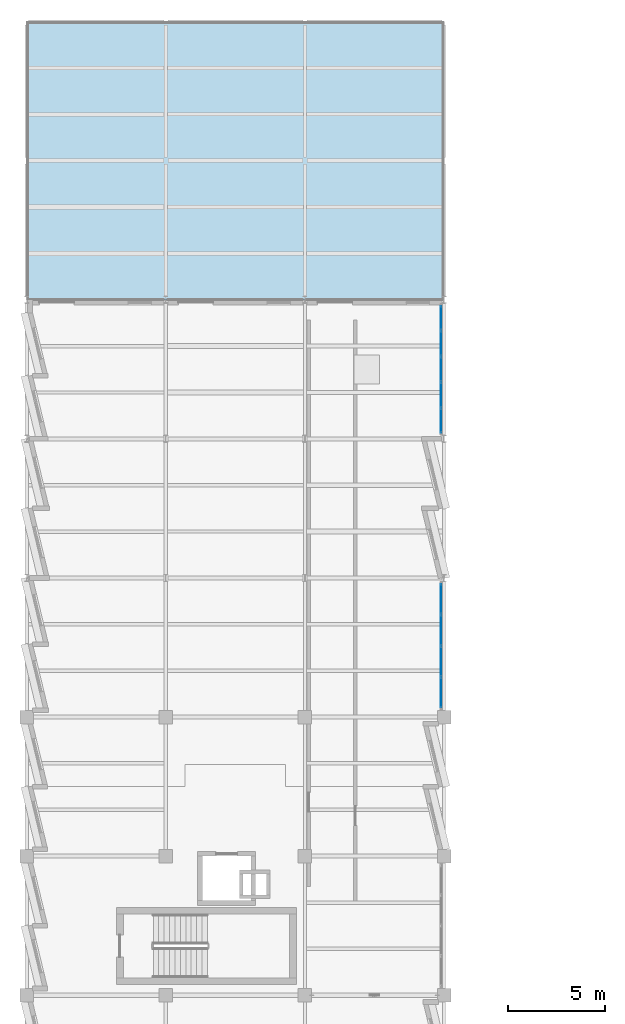
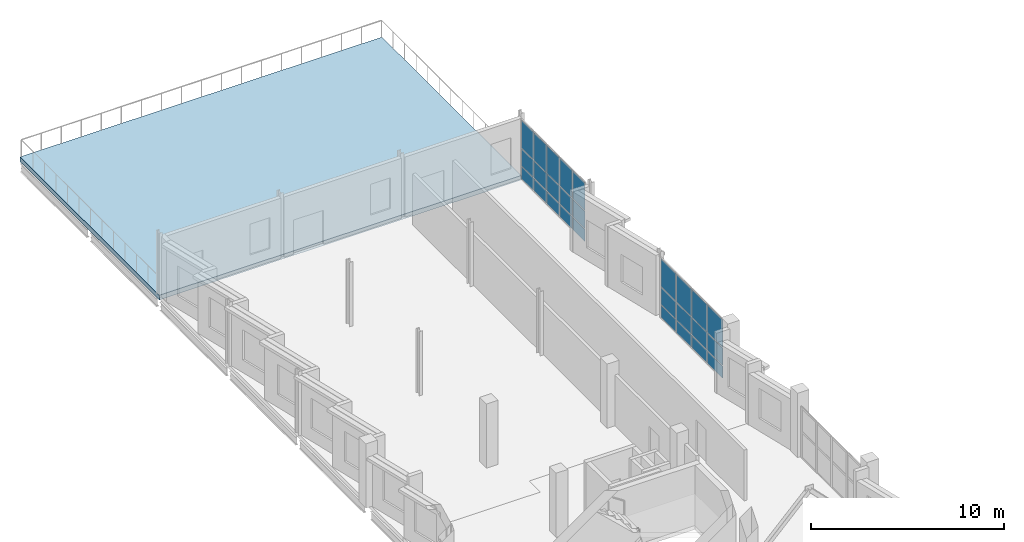
# One storey, part 20 of 33: 27 plates, 1 slab, 2 elements without a shape of their own.
"""IFC4 building model written with IfcOpenShell, lengths in metres."""

from ifc_helpers import new_model, si_unit, direction, frame, origin, origin_2d, place, context, subcontext, project, spatial, polyline, rectangle, outline, extrude, material, layer, layer_set, type_object, element, aggregate, save


model = new_model("IFC4")

# Units and contexts
model_context = context("Model", 3, precision=1e-05, world=origin(), true_north=direction((0.0, 1.0)))
body_context = subcontext(model_context, "Body", "Model", "MODEL_VIEW")
ifc_project = project(units=[si_unit("LENGTHUNIT", "METRE"), si_unit("AREAUNIT", "SQUARE_METRE"), si_unit("VOLUMEUNIT", "CUBIC_METRE"), si_unit("PLANEANGLEUNIT", "RADIAN"), si_unit("MASSUNIT", "GRAM", prefix="KILO")], contexts=[model_context])

# Site, building, storey
site_placement = place(None, origin())
site = spatial("IfcSite", under=ifc_project, at=site_placement, CompositionType="ELEMENT")
building_placement = place(site_placement, origin())
building = spatial("IfcBuilding", under=site, at=building_placement, Name="Kalmorath City Hall", CompositionType="ELEMENT")
storey_placement = place(building_placement, frame((0.0, 0.0, 22.949951171875)))
storey = spatial("IfcBuildingStorey", under=building, at=storey_placement, Name="L05", CompositionType="ELEMENT", Elevation=22.949951171875)

# Curtain wall, plates
ifc_material_1 = material(Name="Anodised aluminium and laminated glass", Category="aluminium")
curtain_wall_type_1 = type_object("IfcCurtainWallType", Name="Unitised hurricane curtain wall 6670x3800 M1450", PredefinedType="NOTDEFINED", material=ifc_material_1)
curtain_wall_1_placement = place(storey_placement, origin())
curtain_wall_1 = element("IfcCurtainWall", 1, at=curtain_wall_1_placement, inside=storey, type_object=curtain_wall_type_1, Name="L05 curtain wall CW-67X38M14 #170", PredefinedType="NOTDEFINED")
ifc_material_2 = material(Name="Hurricane laminated low-E glass", Category="glass")
ifc_layer_1 = layer(ifc_material_2, 0.02392578125)
ifc_layer_set_1 = layer_set([ifc_layer_1], Name="Hurricane laminated low-E glass")
plate_type = type_object("IfcPlateType", Name="Clerestory diffused glazed panel 24", PredefinedType="CURTAIN_PANEL", material=ifc_layer_set_1)
plate_1_placement = place(storey_placement, frame((21.43994140625, 85.45166015625, 0.06005859375), z_axis=(0.0, 0.0, 1.0), x_axis=(0.0, -1.0, 0.0)))
plate_1 = element("IfcPlate", 2, at=plate_1_placement, type_object=plate_type, Name="CW-67X38M14 panel 1.1", PredefinedType="CURTAIN_PANEL", context=body_context, shape_type="SweptSolid", body=[
    extrude(rectangle(XDim=1.236572265625, YDim=0.02392578125, at=origin_2d()), origin(), (0.0, 0.0, 1.0), 0.760009765625),
])
plate_2_placement = place(storey_placement, frame((21.43994140625, 85.45166015625, 0.880126953125), z_axis=(0.0, 0.0, 1.0), x_axis=(0.0, -1.0, 0.0)))
plate_2 = element("IfcPlate", 3, at=plate_2_placement, type_object=plate_type, Name="CW-67X38M14 panel 1.2", PredefinedType="CURTAIN_PANEL", context=body_context, shape_type="SweptSolid", body=[
    extrude(rectangle(XDim=1.236572265625, YDim=0.02392578125, at=origin_2d()), origin(), (0.0, 0.0, 1.0), 1.06591796875),
])
plate_3_placement = place(storey_placement, frame((21.43994140625, 85.45166015625, 2.006103515625), z_axis=(0.0, 0.0, 1.0), x_axis=(0.0, -1.0, 0.0)))
plate_3 = element("IfcPlate", 4, at=plate_3_placement, type_object=plate_type, Name="CW-67X38M14 panel 1.3", PredefinedType="CURTAIN_PANEL", context=body_context, shape_type="SweptSolid", body=[
    extrude(rectangle(XDim=1.236572265625, YDim=0.02392578125, at=origin_2d()), origin(), (0.0, 0.0, 1.0), 1.73388671875),
])
plate_4_placement = place(storey_placement, frame((21.43994140625, 84.134033203125, 0.06005859375), z_axis=(0.0, 0.0, 1.0), x_axis=(0.0, -1.0, 0.0)))
plate_4 = element("IfcPlate", 5, at=plate_4_placement, type_object=plate_type, Name="CW-67X38M14 panel 2.1", PredefinedType="CURTAIN_PANEL", context=body_context, shape_type="SweptSolid", body=[
    extrude(rectangle(XDim=1.26904296875, YDim=0.02392578125, at=origin_2d()), origin(), (0.0, 0.0, 1.0), 0.760009765625),
])
plate_5_placement = place(storey_placement, frame((21.43994140625, 84.134033203125, 0.880126953125), z_axis=(0.0, 0.0, 1.0), x_axis=(0.0, -1.0, 0.0)))
plate_5 = element("IfcPlate", 6, at=plate_5_placement, type_object=plate_type, Name="CW-67X38M14 panel 2.2", PredefinedType="CURTAIN_PANEL", context=body_context, shape_type="SweptSolid", body=[
    extrude(rectangle(XDim=1.26904296875, YDim=0.02392578125, at=origin_2d()), origin(), (0.0, 0.0, 1.0), 1.06591796875),
])
plate_6_placement = place(storey_placement, frame((21.43994140625, 84.134033203125, 2.006103515625), z_axis=(0.0, 0.0, 1.0), x_axis=(0.0, -1.0, 0.0)))
plate_6 = element("IfcPlate", 7, at=plate_6_placement, type_object=plate_type, Name="CW-67X38M14 panel 2.3", PredefinedType="CURTAIN_PANEL", context=body_context, shape_type="SweptSolid", body=[
    extrude(rectangle(XDim=1.26904296875, YDim=0.02392578125, at=origin_2d()), origin(), (0.0, 0.0, 1.0), 1.73388671875),
])
plate_7_placement = place(storey_placement, frame((21.43994140625, 82.800048828125, 0.06005859375), z_axis=(0.0, 0.0, 1.0), x_axis=(0.0, -1.0, 0.0)))
plate_7 = element("IfcPlate", 8, at=plate_7_placement, type_object=plate_type, Name="CW-67X38M14 panel 3.1", PredefinedType="CURTAIN_PANEL", context=body_context, shape_type="SweptSolid", body=[
    extrude(rectangle(XDim=1.26904296875, YDim=0.02392578125, at=origin_2d()), origin(), (0.0, 0.0, 1.0), 0.760009765625),
])
plate_8_placement = place(storey_placement, frame((21.43994140625, 82.800048828125, 0.880126953125), z_axis=(0.0, 0.0, 1.0), x_axis=(0.0, -1.0, 0.0)))
plate_8 = element("IfcPlate", 9, at=plate_8_placement, type_object=plate_type, Name="CW-67X38M14 panel 3.2", PredefinedType="CURTAIN_PANEL", context=body_context, shape_type="SweptSolid", body=[
    extrude(rectangle(XDim=1.26904296875, YDim=0.02392578125, at=origin_2d()), origin(), (0.0, 0.0, 1.0), 1.06591796875),
])
plate_9_placement = place(storey_placement, frame((21.43994140625, 82.800048828125, 2.006103515625), z_axis=(0.0, 0.0, 1.0), x_axis=(0.0, -1.0, 0.0)))
plate_9 = element("IfcPlate", 10, at=plate_9_placement, type_object=plate_type, Name="CW-67X38M14 panel 3.3", PredefinedType="CURTAIN_PANEL", context=body_context, shape_type="SweptSolid", body=[
    extrude(rectangle(XDim=1.26904296875, YDim=0.02392578125, at=origin_2d()), origin(), (0.0, 0.0, 1.0), 1.73388671875),
])
plate_10_placement = place(storey_placement, frame((21.43994140625, 81.466064453125, 0.06005859375), z_axis=(0.0, 0.0, 1.0), x_axis=(0.0, -1.0, 0.0)))
plate_10 = element("IfcPlate", 11, at=plate_10_placement, type_object=plate_type, Name="CW-67X38M14 panel 4.1", PredefinedType="CURTAIN_PANEL", context=body_context, shape_type="SweptSolid", body=[
    extrude(rectangle(XDim=1.26904296875, YDim=0.02392578125, at=origin_2d()), origin(), (0.0, 0.0, 1.0), 0.760009765625),
])
plate_11_placement = place(storey_placement, frame((21.43994140625, 81.466064453125, 0.880126953125), z_axis=(0.0, 0.0, 1.0), x_axis=(0.0, -1.0, 0.0)))
plate_11 = element("IfcPlate", 12, at=plate_11_placement, type_object=plate_type, Name="CW-67X38M14 panel 4.2", PredefinedType="CURTAIN_PANEL", context=body_context, shape_type="SweptSolid", body=[
    extrude(rectangle(XDim=1.26904296875, YDim=0.02392578125, at=origin_2d()), origin(), (0.0, 0.0, 1.0), 1.06591796875),
])
plate_12_placement = place(storey_placement, frame((21.43994140625, 81.466064453125, 2.006103515625), z_axis=(0.0, 0.0, 1.0), x_axis=(0.0, -1.0, 0.0)))
plate_12 = element("IfcPlate", 13, at=plate_12_placement, type_object=plate_type, Name="CW-67X38M14 panel 4.3", PredefinedType="CURTAIN_PANEL", context=body_context, shape_type="SweptSolid", body=[
    extrude(rectangle(XDim=1.26904296875, YDim=0.02392578125, at=origin_2d()), origin(), (0.0, 0.0, 1.0), 1.73388671875),
])
plate_13_placement = place(storey_placement, frame((21.43994140625, 80.148193359375, 0.06005859375), z_axis=(0.0, 0.0, 1.0), x_axis=(0.0, -1.0, 0.0)))
plate_13 = element("IfcPlate", 14, at=plate_13_placement, type_object=plate_type, Name="CW-67X38M14 panel 5.1", PredefinedType="CURTAIN_PANEL", context=body_context, shape_type="SweptSolid", body=[
    extrude(rectangle(XDim=1.236572265625, YDim=0.02392578125, at=origin_2d()), origin(), (0.0, 0.0, 1.0), 0.760009765625),
])
plate_14_placement = place(storey_placement, frame((21.43994140625, 80.148193359375, 0.880126953125), z_axis=(0.0, 0.0, 1.0), x_axis=(0.0, -1.0, 0.0)))
plate_14 = element("IfcPlate", 15, at=plate_14_placement, type_object=plate_type, Name="CW-67X38M14 panel 5.2", PredefinedType="CURTAIN_PANEL", context=body_context, shape_type="SweptSolid", body=[
    extrude(rectangle(XDim=1.236572265625, YDim=0.02392578125, at=origin_2d()), origin(), (0.0, 0.0, 1.0), 1.06591796875),
])
plate_15_placement = place(storey_placement, frame((21.43994140625, 80.148193359375, 2.006103515625), z_axis=(0.0, 0.0, 1.0), x_axis=(0.0, -1.0, 0.0)))
plate_15 = element("IfcPlate", 16, at=plate_15_placement, type_object=plate_type, Name="CW-67X38M14 panel 5.3", PredefinedType="CURTAIN_PANEL", context=body_context, shape_type="SweptSolid", body=[
    extrude(rectangle(XDim=1.236572265625, YDim=0.02392578125, at=origin_2d()), origin(), (0.0, 0.0, 1.0), 1.73388671875),
])
aggregate(curtain_wall_1, [plate_1, plate_2, plate_3, plate_4, plate_5, plate_6, plate_7, plate_8, plate_9, plate_10, plate_11, plate_12, plate_13, plate_14, plate_15])

ifc_material_3 = material(Name="Anodised aluminium and laminated glass", Category="aluminium")
curtain_wall_type_2 = type_object("IfcCurtainWallType", Name="Unitised hurricane curtain wall 6495x3800 M1450", PredefinedType="NOTDEFINED", material=ifc_material_3)
curtain_wall_2_placement = place(storey_placement, origin())
curtain_wall_2 = element("IfcCurtainWall", 17, at=curtain_wall_2_placement, inside=storey, type_object=curtain_wall_type_2, Name="L05 curtain wall CW-65X38M14 #171", PredefinedType="NOTDEFINED")
plate_16_placement = place(storey_placement, frame((21.43994140625, 70.906982421875, 0.06005859375), z_axis=(0.0, 0.0, 1.0), x_axis=(0.0, -1.0, 0.0)))
plate_16 = element("IfcPlate", 18, at=plate_16_placement, type_object=plate_type, Name="CW-65X38M14 panel 1.1", PredefinedType="CURTAIN_PANEL", context=body_context, shape_type="SweptSolid", body=[
    extrude(rectangle(XDim=1.5263671875, YDim=0.02392578125, at=origin_2d()), origin(), (0.0, 0.0, 1.0), 0.760009765625),
])
plate_17_placement = place(storey_placement, frame((21.43994140625, 70.906982421875, 0.880126953125), z_axis=(0.0, 0.0, 1.0), x_axis=(0.0, -1.0, 0.0)))
plate_17 = element("IfcPlate", 19, at=plate_17_placement, type_object=plate_type, Name="CW-65X38M14 panel 1.2", PredefinedType="CURTAIN_PANEL", context=body_context, shape_type="SweptSolid", body=[
    extrude(rectangle(XDim=1.5263671875, YDim=0.02392578125, at=origin_2d()), origin(), (0.0, 0.0, 1.0), 1.06591796875),
])
plate_18_placement = place(storey_placement, frame((21.43994140625, 70.906982421875, 2.006103515625), z_axis=(0.0, 0.0, 1.0), x_axis=(0.0, -1.0, 0.0)))
plate_18 = element("IfcPlate", 20, at=plate_18_placement, type_object=plate_type, Name="CW-65X38M14 panel 1.3", PredefinedType="CURTAIN_PANEL", context=body_context, shape_type="SweptSolid", body=[
    extrude(rectangle(XDim=1.5263671875, YDim=0.02392578125, at=origin_2d()), origin(), (0.0, 0.0, 1.0), 1.73388671875),
])
plate_19_placement = place(storey_placement, frame((21.43994140625, 69.29931640625, 0.06005859375), z_axis=(0.0, 0.0, 1.0), x_axis=(0.0, -1.0, 0.0)))
plate_19 = element("IfcPlate", 21, at=plate_19_placement, type_object=plate_type, Name="CW-65X38M14 panel 2.1", PredefinedType="CURTAIN_PANEL", context=body_context, shape_type="SweptSolid", body=[
    extrude(rectangle(XDim=1.558837890625, YDim=0.02392578125, at=origin_2d()), origin(), (0.0, 0.0, 1.0), 0.760009765625),
])
plate_20_placement = place(storey_placement, frame((21.43994140625, 69.29931640625, 0.880126953125), z_axis=(0.0, 0.0, 1.0), x_axis=(0.0, -1.0, 0.0)))
plate_20 = element("IfcPlate", 22, at=plate_20_placement, type_object=plate_type, Name="CW-65X38M14 panel 2.2", PredefinedType="CURTAIN_PANEL", context=body_context, shape_type="SweptSolid", body=[
    extrude(rectangle(XDim=1.558837890625, YDim=0.02392578125, at=origin_2d()), origin(), (0.0, 0.0, 1.0), 1.06591796875),
])
plate_21_placement = place(storey_placement, frame((21.43994140625, 69.29931640625, 2.006103515625), z_axis=(0.0, 0.0, 1.0), x_axis=(0.0, -1.0, 0.0)))
plate_21 = element("IfcPlate", 23, at=plate_21_placement, type_object=plate_type, Name="CW-65X38M14 panel 2.3", PredefinedType="CURTAIN_PANEL", context=body_context, shape_type="SweptSolid", body=[
    extrude(rectangle(XDim=1.558837890625, YDim=0.02392578125, at=origin_2d()), origin(), (0.0, 0.0, 1.0), 1.73388671875),
])
plate_22_placement = place(storey_placement, frame((21.43994140625, 67.675537109375, 0.06005859375), z_axis=(0.0, 0.0, 1.0), x_axis=(0.0, -1.0, 0.0)))
plate_22 = element("IfcPlate", 24, at=plate_22_placement, type_object=plate_type, Name="CW-65X38M14 panel 3.1", PredefinedType="CURTAIN_PANEL", context=body_context, shape_type="SweptSolid", body=[
    extrude(rectangle(XDim=1.558837890625, YDim=0.02392578125, at=origin_2d()), origin(), (0.0, 0.0, 1.0), 0.760009765625),
])
plate_23_placement = place(storey_placement, frame((21.43994140625, 67.675537109375, 0.880126953125), z_axis=(0.0, 0.0, 1.0), x_axis=(0.0, -1.0, 0.0)))
plate_23 = element("IfcPlate", 25, at=plate_23_placement, type_object=plate_type, Name="CW-65X38M14 panel 3.2", PredefinedType="CURTAIN_PANEL", context=body_context, shape_type="SweptSolid", body=[
    extrude(rectangle(XDim=1.558837890625, YDim=0.02392578125, at=origin_2d()), origin(), (0.0, 0.0, 1.0), 1.06591796875),
])
plate_24_placement = place(storey_placement, frame((21.43994140625, 67.675537109375, 2.006103515625), z_axis=(0.0, 0.0, 1.0), x_axis=(0.0, -1.0, 0.0)))
plate_24 = element("IfcPlate", 26, at=plate_24_placement, type_object=plate_type, Name="CW-65X38M14 panel 3.3", PredefinedType="CURTAIN_PANEL", context=body_context, shape_type="SweptSolid", body=[
    extrude(rectangle(XDim=1.558837890625, YDim=0.02392578125, at=origin_2d()), origin(), (0.0, 0.0, 1.0), 1.73388671875),
])
plate_25_placement = place(storey_placement, frame((21.43994140625, 66.068115234375, 0.06005859375), z_axis=(0.0, 0.0, 1.0), x_axis=(0.0, -1.0, 0.0)))
plate_25 = element("IfcPlate", 27, at=plate_25_placement, type_object=plate_type, Name="CW-65X38M14 panel 4.1", PredefinedType="CURTAIN_PANEL", context=body_context, shape_type="SweptSolid", body=[
    extrude(rectangle(XDim=1.5263671875, YDim=0.02392578125, at=origin_2d()), origin(), (0.0, 0.0, 1.0), 0.760009765625),
])
plate_26_placement = place(storey_placement, frame((21.43994140625, 66.068115234375, 0.880126953125), z_axis=(0.0, 0.0, 1.0), x_axis=(0.0, -1.0, 0.0)))
plate_26 = element("IfcPlate", 28, at=plate_26_placement, type_object=plate_type, Name="CW-65X38M14 panel 4.2", PredefinedType="CURTAIN_PANEL", context=body_context, shape_type="SweptSolid", body=[
    extrude(rectangle(XDim=1.5263671875, YDim=0.02392578125, at=origin_2d()), origin(), (0.0, 0.0, 1.0), 1.06591796875),
])
plate_27_placement = place(storey_placement, frame((21.43994140625, 66.068115234375, 2.006103515625), z_axis=(0.0, 0.0, 1.0), x_axis=(0.0, -1.0, 0.0)))
plate_27 = element("IfcPlate", 29, at=plate_27_placement, type_object=plate_type, Name="CW-65X38M14 panel 4.3", PredefinedType="CURTAIN_PANEL", context=body_context, shape_type="SweptSolid", body=[
    extrude(rectangle(XDim=1.5263671875, YDim=0.02392578125, at=origin_2d()), origin(), (0.0, 0.0, 1.0), 1.73388671875),
])
aggregate(curtain_wall_2, [plate_16, plate_17, plate_18, plate_19, plate_20, plate_21, plate_22, plate_23, plate_24, plate_25, plate_26, plate_27])

# Slab
ifc_material_4 = material(Name="Concrete C40/50", Category="concrete")
ifc_layer_2 = layer(ifc_material_4, 0.2900390625)
ifc_layer_set_2 = layer_set([ifc_layer_2], Name="Concrete C40/50")
slab_type = type_object("IfcSlabType", Name="Concrete planted roof terrace slab 290", PredefinedType="FLOOR", material=ifc_layer_set_2)
slab_placement = place(storey_placement, frame((0.0, 0.0, -0.2900390625)))
element("IfcSlab", 30, at=slab_placement, inside=storey, type_object=slab_type, Name="L05 West Wing North Roof Terrace slab", PredefinedType="FLOOR", context=body_context, shape_type="SweptSolid", body=[
    extrude(outline(polyline([(0.0, 86.39990234375), (21.60009765625, 86.39990234375), (21.60009765625, 100.800048828125), (0.0, 100.800048828125), (0.0, 86.39990234375)])), origin(), (0.0, 0.0, 1.0), 0.2900390625),
])

save(model, "model.ifc")
